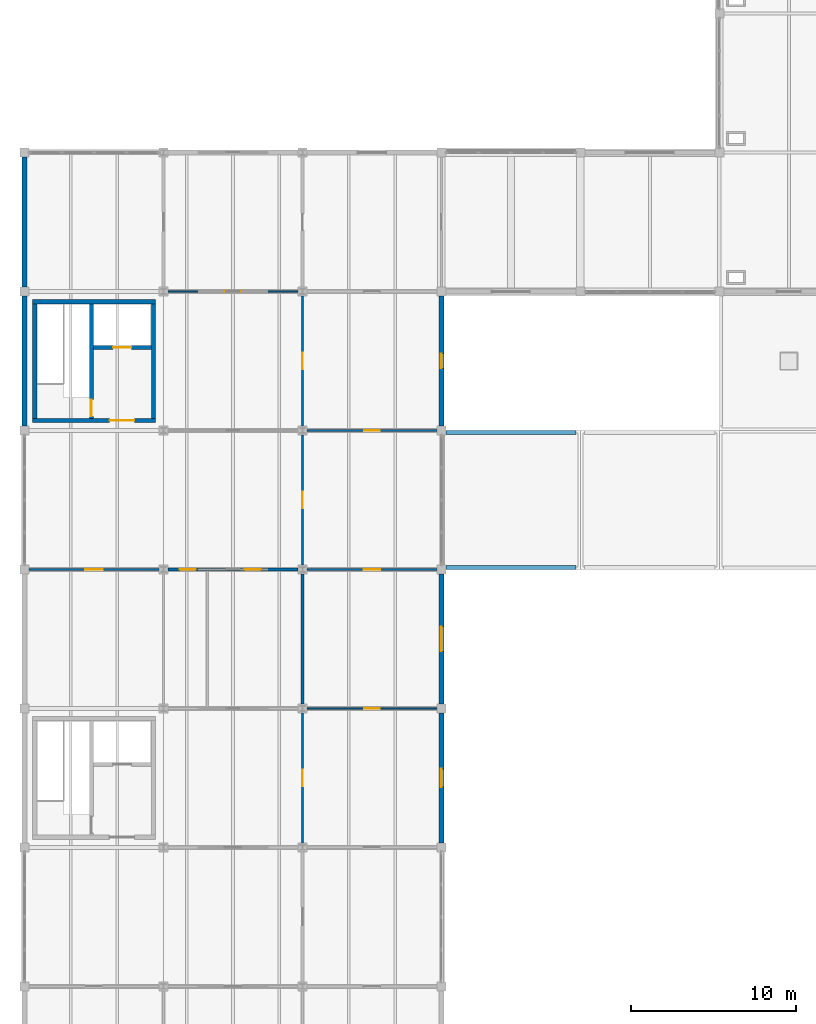
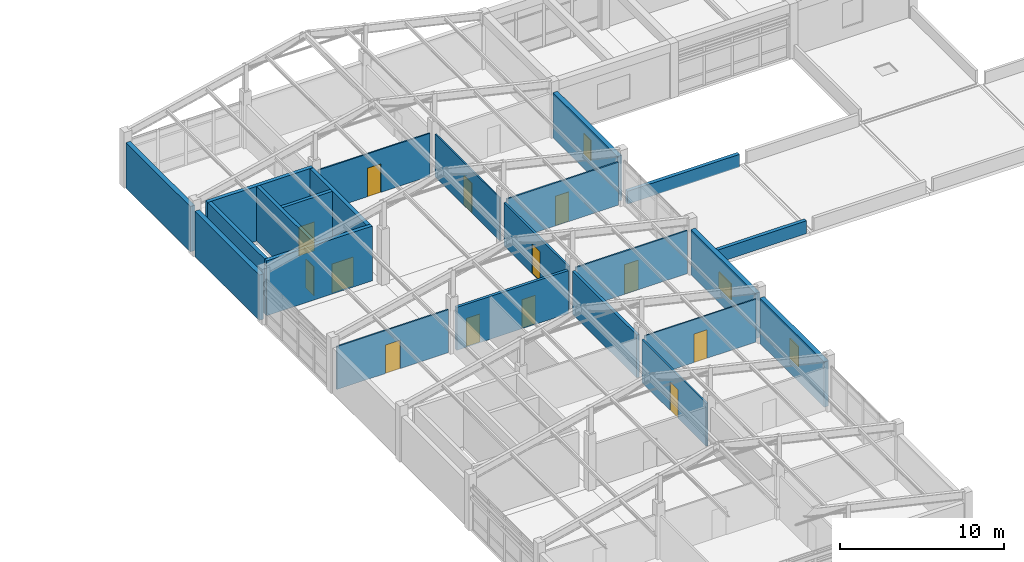
# One storey, part 31 of 40: 23 walls, 13 doors, 3 windows, 16 openings.
"""IFC4 building model written with IfcOpenShell, lengths in metres."""

from ifc_helpers import new_model, si_unit, direction, frame, frame_2d, origin, place, context, subcontext, project, spatial, rectangle, extrude, material, layer, layer_set, type_object, element, fill, save


model = new_model("IFC4")

# Units and contexts
model_context = context("Model", 3, precision=1e-05, world=origin(), true_north=direction((0.0, 1.0)))
body_context = subcontext(model_context, "Body", "Model", "MODEL_VIEW")
ifc_project = project(units=[si_unit("LENGTHUNIT", "METRE"), si_unit("AREAUNIT", "SQUARE_METRE"), si_unit("VOLUMEUNIT", "CUBIC_METRE"), si_unit("PLANEANGLEUNIT", "RADIAN"), si_unit("MASSUNIT", "GRAM", prefix="KILO")], contexts=[model_context])

# Site, building, storey
site_placement = place(None, origin())
site = spatial("IfcSite", under=ifc_project, at=site_placement, CompositionType="ELEMENT")
building_placement = place(site_placement, origin())
building = spatial("IfcBuilding", under=site, at=building_placement, Name="Porcellanite Civic Hall", CompositionType="ELEMENT")
storey_placement = place(building_placement, frame((0.0, 0.0, 19.080078125)))
storey = spatial("IfcBuildingStorey", under=building, at=storey_placement, Name="L04", CompositionType="ELEMENT", Elevation=19.080078125)

# Wall, opening, door
ifc_material_1 = material(Name="Concrete N40 (40 MPa)", Category="concrete")
ifc_layer_1 = layer(ifc_material_1, 0.239990234375)
ifc_layer_set_1 = layer_set([ifc_layer_1], Name="Concrete N40 (40 MPa)")
wall_type_1 = type_object("IfcWallType", Name="CW-SH240", PredefinedType="SHEAR", material=ifc_layer_set_1)
wall_1_placement = place(storey_placement, frame((12.43994140625, 59.5400390625, 0.0), z_axis=(0.0, 0.0, 1.0), x_axis=(0.0, 1.0, 0.0)))
wall_1 = element("IfcWall", 1, at=wall_1_placement, inside=storey, type_object=wall_type_1, Name="Core divider C2 L04", PredefinedType="SHEAR", context=body_context, shape_type="SweptSolid", body=[
    extrude(rectangle(XDim=6.919921875, YDim=0.239990234375, at=frame_2d((3.4599609375, 0.0))), origin(), (0.0, 0.0, 1.0), 4.06982421875),
])
opening_1_placement = place(wall_1_placement, frame((0.1201171875, 0.0, 0.0)))
opening_1 = element("IfcOpeningElement", 2, at=opening_1_placement, cuts=wall_1, Name="Opening FD-C2-L04-ST", PredefinedType="OPENING", context=body_context, shape_type="SweptSolid", body=[
    extrude(rectangle(XDim=1.0, YDim=2.14990234375, at=frame_2d((0.5, 1.074951171875))), frame((0.0, 0.1201171875, 0.0), z_axis=(0.0, -1.0, 0.0), x_axis=(1.0, 0.0, 0.0)), (0.0, 0.0, 1.0), 0.239990234375),
])
ifc_material_2 = material(Name="Fire-rated solid-core hardwood timber", Category="wood")
door_type_1 = type_object("IfcDoorType", Name="DR-FD100", OperationType="NOTDEFINED", PredefinedType="DOOR", material=ifc_material_2)
door_1_placement = place(opening_1_placement, origin())
door_1 = element("IfcDoor", 3, at=door_1_placement, inside=storey, type_object=door_type_1, Name="Fire stair door FD-C2-L04-ST", OperationType="SINGLE_SWING_LEFT", OverallHeight=2.14990234375, OverallWidth=1.0, PredefinedType="DOOR", context=body_context, shape_type="SweptSolid", body=[
    extrude(rectangle(XDim=1.0, YDim=2.14990234375, at=frame_2d((0.5, 1.074951171875))), frame((0.0, 0.02490234375, 0.0), z_axis=(0.0, -1.0, 0.0), x_axis=(1.0, 0.0, 0.0)), (0.0, 0.0, 1.0), 0.050048828125),
])
fill(opening_1, door_1)

wall_2_placement = place(storey_placement, frame((12.56005859375, 63.820068359375, 0.0), z_axis=(0.0, 0.0, 1.0), x_axis=(1.0, 0.0, 0.0)))
wall_2 = element("IfcWall", 4, at=wall_2_placement, inside=storey, type_object=wall_type_1, Name="Lift shaft wall C2 L04", PredefinedType="SHEAR", context=body_context, shape_type="SweptSolid", body=[
    extrude(rectangle(XDim=3.5, YDim=0.239990234375, at=frame_2d((1.75, 0.0))), origin(), (0.0, 0.0, 1.0), 4.06982421875),
])
opening_2_placement = place(wall_2_placement, frame((1.199951171875, 0.0, 0.0)))
opening_2 = element("IfcOpeningElement", 5, at=opening_2_placement, cuts=wall_2, Name="Opening LD-04", PredefinedType="OPENING", context=body_context, shape_type="SweptSolid", body=[
    extrude(rectangle(XDim=1.10009765625, YDim=2.14990234375, at=frame_2d((0.550048828125, 1.074951171875))), frame((0.0, 0.1201171875, 0.0), z_axis=(0.0, -1.0, 0.0), x_axis=(1.0, 0.0, 0.0)), (0.0, 0.0, 1.0), 0.239990234375),
])
ifc_material_3 = material(Name="Brushed stainless steel 316", Category="steel")
door_type_2 = type_object("IfcDoorType", Name="DR-LD110", OperationType="DOUBLE_DOOR_SLIDING", PredefinedType="DOOR", material=ifc_material_3)
door_2_placement = place(opening_2_placement, origin())
door_2 = element("IfcDoor", 6, at=door_2_placement, inside=storey, type_object=door_type_2, Name="Lift landing sliding door LD-04 L04", OperationType="DOUBLE_DOOR_SLIDING", OverallHeight=2.14990234375, OverallWidth=1.10009765625, PredefinedType="DOOR", context=body_context, shape_type="SweptSolid", body=[
    extrude(rectangle(XDim=1.10009765625, YDim=2.14990234375, at=frame_2d((0.550048828125, 1.074951171875))), frame((0.0, 0.02490234375, 0.0), z_axis=(0.0, -1.0, 0.0), x_axis=(1.0, 0.0, 0.0)), (0.0, 0.0, 1.0), 0.050048828125),
])
fill(opening_2, door_2)

ifc_material_4 = material(Name="Concrete N40 (40 MPa)", Category="concrete")
ifc_layer_2 = layer(ifc_material_4, 0.260009765625)
ifc_layer_set_2 = layer_set([ifc_layer_2], Name="Concrete N40 (40 MPa)")
wall_type_2 = type_object("IfcWallType", Name="CW-SH260", PredefinedType="SHEAR", material=ifc_layer_set_2)
wall_3_placement = place(storey_placement, frame((16.320068359375, 59.409912109375, 0.0), z_axis=(0.0, 0.0, 1.0), x_axis=(-1.0, 0.0, 0.0)))
wall_3 = element("IfcWall", 7, at=wall_3_placement, inside=storey, type_object=wall_type_2, Name="Core wall C2 L04 S", PredefinedType="SHEAR", context=body_context, shape_type="SweptSolid", body=[
    extrude(rectangle(XDim=7.440185546875, YDim=0.260009765625, at=frame_2d((3.72021484375, 0.0))), origin(), (0.0, 0.0, 1.0), 4.06982421875),
])
opening_3_placement = place(wall_3_placement, frame((1.280029296875, 0.0, 0.0)))
opening_3 = element("IfcOpeningElement", 8, at=opening_3_placement, cuts=wall_3, Name="Opening FD-C2-L04-LB", PredefinedType="OPENING", context=body_context, shape_type="SweptSolid", body=[
    extrude(rectangle(XDim=1.5, YDim=2.14990234375, at=frame_2d((0.75, 1.074951171875))), frame((0.0, 0.1298828125, 0.0), z_axis=(0.0, -1.0, 0.0), x_axis=(1.0, 0.0, 0.0)), (0.0, 0.0, 1.0), 0.260009765625),
])
ifc_material_5 = material(Name="Fire-rated steel and Georgian wired glass", Category="steel")
door_type_3 = type_object("IfcDoorType", Name="DR-FD150", OperationType="DOUBLE_DOOR_SINGLE_SWING", PredefinedType="DOOR", material=ifc_material_5)
door_3_placement = place(opening_3_placement, origin())
door_3 = element("IfcDoor", 9, at=door_3_placement, inside=storey, type_object=door_type_3, Name="Fire lobby double door FD-C2-L04-LB", OperationType="DOUBLE_DOOR_SINGLE_SWING", OverallHeight=2.14990234375, OverallWidth=1.5, PredefinedType="DOOR", context=body_context, shape_type="SweptSolid", body=[
    extrude(rectangle(XDim=1.5, YDim=2.14990234375, at=frame_2d((0.75, 1.074951171875))), frame((0.0, 0.02490234375, 0.0), z_axis=(0.0, -1.0, 0.0), x_axis=(1.0, 0.0, 0.0)), (0.0, 0.0, 1.0), 0.050048828125),
])
fill(opening_3, door_3)

# Walls
wall_4_placement = place(storey_placement, frame((9.010009765625, 59.5400390625, 0.0), z_axis=(0.0, 0.0, 1.0), x_axis=(0.0, 1.0, 0.0)))
element("IfcWall", 10, at=wall_4_placement, inside=storey, type_object=wall_type_2, Name="Core wall C2 L04 W", PredefinedType="SHEAR", context=body_context, shape_type="SweptSolid", body=[
    extrude(rectangle(XDim=6.919921875, YDim=0.260009765625, at=frame_2d((3.4599609375, 0.0))), origin(), (0.0, 0.0, 1.0), 4.06982421875),
])
wall_5_placement = place(storey_placement, frame((8.8798828125, 66.590087890625, 0.0), z_axis=(0.0, 0.0, 1.0), x_axis=(1.0, 0.0, 0.0)))
element("IfcWall", 11, at=wall_5_placement, inside=storey, type_object=wall_type_2, Name="Core wall C2 L04 N", PredefinedType="SHEAR", context=body_context, shape_type="SweptSolid", body=[
    extrude(rectangle(XDim=7.440185546875, YDim=0.260009765625, at=frame_2d((3.72021484375, 0.0))), origin(), (0.0, 0.0, 1.0), 4.06982421875),
])
wall_6_placement = place(storey_placement, frame((16.18994140625, 66.4599609375, 0.0), z_axis=(0.0, 0.0, 1.0), x_axis=(0.0, -1.0, 0.0)))
element("IfcWall", 12, at=wall_6_placement, inside=storey, type_object=wall_type_2, Name="Core wall C2 L04 E", PredefinedType="SHEAR", context=body_context, shape_type="SweptSolid", body=[
    extrude(rectangle(XDim=6.919921875, YDim=0.260009765625, at=frame_2d((3.4599609375, 0.0))), origin(), (0.0, 0.0, 1.0), 4.06982421875),
])
ifc_material_6 = material(Name="Precast concrete N40 (40 MPa)", Category="concrete")
ifc_layer_3 = layer(ifc_material_6, 0.320068359375)
ifc_layer_set_3 = layer_set([ifc_layer_3], Name="Precast concrete N40 (40 MPa)")
wall_type_3 = type_object("IfcWallType", Name="EW-COM320", PredefinedType="SOLIDWALL", material=ifc_layer_set_3)
wall_7_placement = place(storey_placement, frame((8.39990234375, 59.075927734375, 0.0), z_axis=(0.0, 0.0, 1.0), x_axis=(0.0, 1.0, 0.0)))
element("IfcWall", 13, at=wall_7_placement, inside=storey, type_object=wall_type_3, Name="Exterior wall L04 W 2-8", PredefinedType="SOLIDWALL", context=body_context, shape_type="SweptSolid", body=[
    extrude(rectangle(XDim=7.84814453125, YDim=0.320068359375, at=frame_2d((3.924072265625, 0.0))), origin(), (0.0, 0.0, 1.0), 3.369873046875),
])
wall_8_placement = place(storey_placement, frame((8.39990234375, 67.47607421875, 0.0), z_axis=(0.0, 0.0, 1.0), x_axis=(0.0, 1.0, 0.0)))
element("IfcWall", 14, at=wall_8_placement, inside=storey, type_object=wall_type_3, Name="Exterior wall L04 W 2-9", PredefinedType="SOLIDWALL", context=body_context, shape_type="SweptSolid", body=[
    extrude(rectangle(XDim=7.847900390625, YDim=0.320068359375, at=frame_2d((3.923828125, 0.0))), origin(), (0.0, 0.0, 1.0), 3.369873046875),
])

# Wall, opening, window
wall_9_placement = place(storey_placement, frame((33.60009765625, 41.72412109375, 0.0), z_axis=(0.0, 0.0, 1.0), x_axis=(0.0, -1.0, 0.0)))
wall_9 = element("IfcWall", 15, at=wall_9_placement, inside=storey, type_object=wall_type_3, Name="Exterior wall L04 E 4-5", PredefinedType="SOLIDWALL", context=body_context, shape_type="SweptSolid", body=[
    extrude(rectangle(XDim=7.84814453125, YDim=0.320068359375, at=frame_2d((3.924072265625, 0.0))), origin(), (0.0, 0.0, 1.0), 3.369873046875),
])
opening_4_placement = place(wall_9_placement, frame((3.3740234375, 0.0, 0.89990234375)))
opening_4 = element("IfcOpeningElement", 16, at=opening_4_placement, cuts=wall_9, Name="Opening W24", PredefinedType="OPENING", context=body_context, shape_type="SweptSolid", body=[
    extrude(rectangle(XDim=1.10009765625, YDim=1.5, at=frame_2d((0.550048828125, 0.75))), frame((0.0, 0.16015625, 0.0), z_axis=(0.0, -1.0, 0.0), x_axis=(1.0, 0.0, 0.0)), (0.0, 0.0, 1.0), 0.320068359375),
])
ifc_material_7 = material(Name="Cyclone laminated low-E glazing in anodised aluminium frame", Category="aluminium")
window_type_1 = type_object("IfcWindowType", Name="WN-24", PartitioningType="SINGLE_PANEL", PredefinedType="WINDOW", material=ifc_material_7)
window_1_placement = place(opening_4_placement, origin())
window_1 = element("IfcWindow", 17, at=window_1_placement, inside=storey, type_object=window_type_1, Name="Window W24 L04 E 4-5", OverallHeight=1.5, OverallWidth=1.10009765625, PartitioningType="SINGLE_PANEL", PredefinedType="WINDOW", context=body_context, shape_type="SweptSolid", body=[
    extrude(rectangle(XDim=1.10009765625, YDim=1.5, at=frame_2d((0.550048828125, 0.75))), frame((0.0, 0.030029296875, 0.0), z_axis=(0.0, -1.0, 0.0), x_axis=(1.0, 0.0, 0.0)), (0.0, 0.0, 1.0), 0.06005859375),
])
fill(opening_4, window_1)

wall_10_placement = place(storey_placement, frame((33.60009765625, 50.1240234375, 0.0), z_axis=(0.0, 0.0, 1.0), x_axis=(0.0, -1.0, 0.0)))
wall_10 = element("IfcWall", 18, at=wall_10_placement, inside=storey, type_object=wall_type_3, Name="Exterior wall L04 E 4-6", PredefinedType="SOLIDWALL", context=body_context, shape_type="SweptSolid", body=[
    extrude(rectangle(XDim=7.84814453125, YDim=0.320068359375, at=frame_2d((3.924072265625, 0.0))), origin(), (0.0, 0.0, 1.0), 3.369873046875),
])
opening_5_placement = place(wall_10_placement, frame((3.174072265625, 0.0, 0.89990234375)))
opening_5 = element("IfcOpeningElement", 19, at=opening_5_placement, cuts=wall_10, Name="Opening W25", PredefinedType="OPENING", context=body_context, shape_type="SweptSolid", body=[
    extrude(rectangle(XDim=1.5, YDim=1.199951171875, at=frame_2d((0.75, 0.60009765625))), frame((0.0, 0.16015625, 0.0), z_axis=(0.0, -1.0, 0.0), x_axis=(1.0, 0.0, 0.0)), (0.0, 0.0, 1.0), 0.320068359375),
])
ifc_material_8 = material(Name="Cyclone laminated low-E glazing in anodised aluminium frame", Category="aluminium")
window_type_2 = type_object("IfcWindowType", Name="WN-25", PartitioningType="SINGLE_PANEL", PredefinedType="WINDOW", material=ifc_material_8)
window_2_placement = place(opening_5_placement, origin())
window_2 = element("IfcWindow", 20, at=window_2_placement, inside=storey, type_object=window_type_2, Name="Window W25 L04 E 4-6", OverallHeight=1.199951171875, OverallWidth=1.5, PartitioningType="SINGLE_PANEL", PredefinedType="WINDOW", context=body_context, shape_type="SweptSolid", body=[
    extrude(rectangle(XDim=1.5, YDim=1.199951171875, at=frame_2d((0.75, 0.60009765625))), frame((0.0, 0.030029296875, 0.0), z_axis=(0.0, -1.0, 0.0), x_axis=(1.0, 0.0, 0.0)), (0.0, 0.0, 1.0), 0.06005859375),
])
fill(opening_5, window_2)

wall_11_placement = place(storey_placement, frame((33.60009765625, 66.924072265625, 0.0), z_axis=(0.0, 0.0, 1.0), x_axis=(0.0, -1.0, 0.0)))
wall_11 = element("IfcWall", 21, at=wall_11_placement, inside=storey, type_object=wall_type_3, Name="Exterior wall L04 E 4-8", PredefinedType="SOLIDWALL", context=body_context, shape_type="SweptSolid", body=[
    extrude(rectangle(XDim=7.84814453125, YDim=0.320068359375, at=frame_2d((3.924072265625, 0.0))), origin(), (0.0, 0.0, 1.0), 3.369873046875),
])
opening_6_placement = place(wall_11_placement, frame((3.47412109375, 0.0, 0.89990234375)))
opening_6 = element("IfcOpeningElement", 22, at=opening_6_placement, cuts=wall_11, Name="Opening W26", PredefinedType="OPENING", context=body_context, shape_type="SweptSolid", body=[
    extrude(rectangle(XDim=0.89990234375, YDim=1.5, at=frame_2d((0.449951171875, 0.75))), frame((0.0, 0.16015625, 0.0), z_axis=(0.0, -1.0, 0.0), x_axis=(1.0, 0.0, 0.0)), (0.0, 0.0, 1.0), 0.320068359375),
])
ifc_material_9 = material(Name="Cyclone laminated low-E glazing in anodised aluminium frame", Category="aluminium")
window_type_3 = type_object("IfcWindowType", Name="WN-26", PartitioningType="SINGLE_PANEL", PredefinedType="WINDOW", material=ifc_material_9)
window_3_placement = place(opening_6_placement, origin())
window_3 = element("IfcWindow", 23, at=window_3_placement, inside=storey, type_object=window_type_3, Name="Window W26 L04 E 4-8", OverallHeight=1.5, OverallWidth=0.89990234375, PartitioningType="SINGLE_PANEL", PredefinedType="WINDOW", context=body_context, shape_type="SweptSolid", body=[
    extrude(rectangle(XDim=0.89990234375, YDim=1.5, at=frame_2d((0.449951171875, 0.75))), frame((0.0, 0.030029296875, 0.0), z_axis=(0.0, -1.0, 0.0), x_axis=(1.0, 0.0, 0.0)), (0.0, 0.0, 1.0), 0.06005859375),
])
fill(opening_6, window_3)

# Wall, opening, door
ifc_material_10 = material(Name="Insulated acoustic plasterboard on light-gauge steel studs", Category="steel")
ifc_layer_4 = layer(ifc_material_10, 0.094970703125)
ifc_layer_set_4 = layer_set([ifc_layer_4], Name="Insulated acoustic plasterboard on light-gauge steel studs")
wall_type_4 = type_object("IfcWallType", Name="IW-PT095", PredefinedType="PARTITIONING", material=ifc_layer_set_4)
wall_12_placement = place(storey_placement, frame((17.076904296875, 67.199951171875, 0.0), z_axis=(0.0, 0.0, 1.0), x_axis=(1.0, 0.0, 0.0)))
wall_12 = element("IfcWall", 24, at=wall_12_placement, inside=storey, type_object=wall_type_4, Name="Partition L04 H 3-8", PredefinedType="PARTITIONING", context=body_context, shape_type="SweptSolid", body=[
    extrude(rectangle(XDim=7.84619140625, YDim=0.094970703125, at=frame_2d((3.923095703125, 0.0))), origin(), (0.0, 0.0, 1.0), 3.18994140625),
])
opening_7_placement = place(wall_12_placement, frame((3.4580078125, 0.0, 0.0)))
opening_7 = element("IfcOpeningElement", 25, at=opening_7_placement, cuts=wall_12, Name="Opening D-L04-467", PredefinedType="OPENING", context=body_context, shape_type="SweptSolid", body=[
    extrude(rectangle(XDim=0.929931640625, YDim=2.1201171875, at=frame_2d((0.46484375, 1.06005859375))), frame((0.0, 0.04736328125, 0.0), z_axis=(0.0, -1.0, 0.0), x_axis=(1.0, 0.0, 0.0)), (0.0, 0.0, 1.0), 0.094970703125),
])
ifc_material_11 = material(Name="Solid-core spotted-gum timber", Category="wood")
door_type_4 = type_object("IfcDoorType", Name="DR-RM093", OperationType="NOTDEFINED", PredefinedType="DOOR", material=ifc_material_11)
door_4_placement = place(opening_7_placement, origin())
door_4 = element("IfcDoor", 26, at=door_4_placement, inside=storey, type_object=door_type_4, Name="Interior door D-L04-467", OperationType="SINGLE_SWING_LEFT", OverallHeight=2.1201171875, OverallWidth=0.929931640625, PredefinedType="DOOR", context=body_context, shape_type="SweptSolid", body=[
    extrude(rectangle(XDim=0.929931640625, YDim=2.1201171875, at=frame_2d((0.46484375, 1.06005859375))), frame((0.0, 0.02490234375, 0.0), z_axis=(0.0, -1.0, 0.0), x_axis=(1.0, 0.0, 0.0)), (0.0, 0.0, 1.0), 0.050048828125),
])
fill(opening_7, door_4)

wall_13_placement = place(storey_placement, frame((25.47705078125, 42.0, 0.0), z_axis=(0.0, 0.0, 1.0), x_axis=(1.0, 0.0, 0.0)))
wall_13 = element("IfcWall", 27, at=wall_13_placement, inside=storey, type_object=wall_type_4, Name="Partition L04 H 4-5", PredefinedType="PARTITIONING", context=body_context, shape_type="SweptSolid", body=[
    extrude(rectangle(XDim=7.845947265625, YDim=0.094970703125, at=frame_2d((3.9228515625, 0.0))), origin(), (0.0, 0.0, 1.0), 3.18994140625),
])
opening_8_placement = place(wall_13_placement, frame((3.4580078125, 0.0, 0.0)))
opening_8 = element("IfcOpeningElement", 28, at=opening_8_placement, cuts=wall_13, Name="Opening D-L04-480", PredefinedType="OPENING", context=body_context, shape_type="SweptSolid", body=[
    extrude(rectangle(XDim=0.929931640625, YDim=2.1201171875, at=frame_2d((0.46484375, 1.06005859375))), frame((0.0, 0.04736328125, 0.0), z_axis=(0.0, -1.0, 0.0), x_axis=(1.0, 0.0, 0.0)), (0.0, 0.0, 1.0), 0.094970703125),
])
door_5_placement = place(opening_8_placement, origin())
door_5 = element("IfcDoor", 29, at=door_5_placement, inside=storey, type_object=door_type_4, Name="Interior door D-L04-480", OperationType="SINGLE_SWING_RIGHT", OverallHeight=2.1201171875, OverallWidth=0.929931640625, PredefinedType="DOOR", context=body_context, shape_type="SweptSolid", body=[
    extrude(rectangle(XDim=0.929931640625, YDim=2.1201171875, at=frame_2d((0.46484375, 1.06005859375))), frame((0.0, 0.02490234375, 0.0), z_axis=(0.0, -1.0, 0.0), x_axis=(1.0, 0.0, 0.0)), (0.0, 0.0, 1.0), 0.050048828125),
])
fill(opening_8, door_5)

wall_14_placement = place(storey_placement, frame((25.199951171875, 59.076904296875, 0.0), z_axis=(0.0, 0.0, 1.0), x_axis=(0.0, 1.0, 0.0)))
wall_14 = element("IfcWall", 30, at=wall_14_placement, inside=storey, type_object=wall_type_4, Name="Partition L04 V 3-8", PredefinedType="PARTITIONING", context=body_context, shape_type="SweptSolid", body=[
    extrude(rectangle(XDim=7.84619140625, YDim=0.094970703125, at=frame_2d((3.923095703125, 0.0))), origin(), (0.0, 0.0, 1.0), 3.18994140625),
])
opening_9_placement = place(wall_14_placement, frame((3.43310546875, 0.0, 0.0)))
opening_9 = element("IfcOpeningElement", 31, at=opening_9_placement, cuts=wall_14, Name="Opening D-L04-473", PredefinedType="OPENING", context=body_context, shape_type="SweptSolid", body=[
    extrude(rectangle(XDim=0.97998046875, YDim=2.179931640625, at=frame_2d((0.489990234375, 1.08984375))), frame((0.0, 0.04736328125, 0.0), z_axis=(0.0, -1.0, 0.0), x_axis=(1.0, 0.0, 0.0)), (0.0, 0.0, 1.0), 0.094970703125),
])
ifc_material_12 = material(Name="Solid-core spotted-gum timber", Category="wood")
door_type_5 = type_object("IfcDoorType", Name="DR-RM098", OperationType="NOTDEFINED", PredefinedType="DOOR", material=ifc_material_12)
door_6_placement = place(opening_9_placement, origin())
door_6 = element("IfcDoor", 32, at=door_6_placement, inside=storey, type_object=door_type_5, Name="Interior door D-L04-473", OperationType="SINGLE_SWING_LEFT", OverallHeight=2.179931640625, OverallWidth=0.97998046875, PredefinedType="DOOR", context=body_context, shape_type="SweptSolid", body=[
    extrude(rectangle(XDim=0.97998046875, YDim=2.179931640625, at=frame_2d((0.489990234375, 1.08984375))), frame((0.0, 0.02490234375, 0.0), z_axis=(0.0, -1.0, 0.0), x_axis=(1.0, 0.0, 0.0)), (0.0, 0.0, 1.0), 0.050048828125),
])
fill(opening_9, door_6)

ifc_material_13 = material(Name="Insulated acoustic plasterboard on light-gauge steel studs", Category="steel")
ifc_layer_5 = layer(ifc_material_13, 0.10498046875)
ifc_layer_set_5 = layer_set([ifc_layer_5], Name="Insulated acoustic plasterboard on light-gauge steel studs")
wall_type_5 = type_object("IfcWallType", Name="IW-PT105", PredefinedType="PARTITIONING", material=ifc_layer_set_5)
wall_15_placement = place(storey_placement, frame((8.677001953125, 50.39990234375, 0.0), z_axis=(0.0, 0.0, 1.0), x_axis=(1.0, 0.0, 0.0)))
wall_15 = element("IfcWall", 33, at=wall_15_placement, inside=storey, type_object=wall_type_5, Name="Partition L04 H 2-6", PredefinedType="PARTITIONING", context=body_context, shape_type="SweptSolid", body=[
    extrude(rectangle(XDim=7.845947265625, YDim=0.10498046875, at=frame_2d((3.9228515625, 0.0))), origin(), (0.0, 0.0, 1.0), 3.18994140625),
])
opening_10_placement = place(wall_15_placement, frame((3.39794921875, 0.0, 0.0)))
opening_10 = element("IfcOpeningElement", 34, at=opening_10_placement, cuts=wall_15, Name="Opening D-L04-464", PredefinedType="OPENING", context=body_context, shape_type="SweptSolid", body=[
    extrude(rectangle(XDim=1.050048828125, YDim=2.1201171875, at=frame_2d((0.52490234375, 1.06005859375))), frame((0.0, 0.052490234375, 0.0), z_axis=(0.0, -1.0, 0.0), x_axis=(1.0, 0.0, 0.0)), (0.0, 0.0, 1.0), 0.10498046875),
])
ifc_material_14 = material(Name="Solid-core spotted-gum timber", Category="wood")
door_type_6 = type_object("IfcDoorType", Name="DR-RM105", OperationType="NOTDEFINED", PredefinedType="DOOR", material=ifc_material_14)
door_7_placement = place(opening_10_placement, origin())
door_7 = element("IfcDoor", 35, at=door_7_placement, inside=storey, type_object=door_type_6, Name="Interior door D-L04-464", OperationType="SINGLE_SWING_RIGHT", OverallHeight=2.1201171875, OverallWidth=1.050048828125, PredefinedType="DOOR", context=body_context, shape_type="SweptSolid", body=[
    extrude(rectangle(XDim=1.050048828125, YDim=2.1201171875, at=frame_2d((0.52490234375, 1.06005859375))), frame((0.0, 0.02490234375, 0.0), z_axis=(0.0, -1.0, 0.0), x_axis=(1.0, 0.0, 0.0)), (0.0, 0.0, 1.0), 0.050048828125),
])
fill(opening_10, door_7)

ifc_material_15 = material(Name="Insulated acoustic plasterboard on light-gauge steel studs", Category="steel")
ifc_layer_6 = layer(ifc_material_15, 0.114990234375)
ifc_layer_set_6 = layer_set([ifc_layer_6], Name="Insulated acoustic plasterboard on light-gauge steel studs")
wall_type_6 = type_object("IfcWallType", Name="IW-PT115", PredefinedType="PARTITIONING", material=ifc_layer_set_6)
wall_16_placement = place(storey_placement, frame((25.47705078125, 58.800048828125, 0.0), z_axis=(0.0, 0.0, 1.0), x_axis=(1.0, 0.0, 0.0)))
wall_16 = element("IfcWall", 36, at=wall_16_placement, inside=storey, type_object=wall_type_6, Name="Partition L04 H 4-7", PredefinedType="PARTITIONING", context=body_context, shape_type="SweptSolid", body=[
    extrude(rectangle(XDim=7.845947265625, YDim=0.114990234375, at=frame_2d((3.9228515625, 0.0))), origin(), (0.0, 0.0, 1.0), 3.18994140625),
])
opening_11_placement = place(wall_16_placement, frame((3.443115234375, 0.0, 0.0)))
opening_11 = element("IfcOpeningElement", 37, at=opening_11_placement, cuts=wall_16, Name="Opening D-L04-487", PredefinedType="OPENING", context=body_context, shape_type="SweptSolid", body=[
    extrude(rectangle(XDim=0.9599609375, YDim=2.179931640625, at=frame_2d((0.47998046875, 1.08984375))), frame((0.0, 0.0576171875, 0.0), z_axis=(0.0, -1.0, 0.0), x_axis=(1.0, 0.0, 0.0)), (0.0, 0.0, 1.0), 0.114990234375),
])
ifc_material_16 = material(Name="Solid-core spotted-gum timber", Category="wood")
door_type_7 = type_object("IfcDoorType", Name="DR-RM096", OperationType="NOTDEFINED", PredefinedType="DOOR", material=ifc_material_16)
door_8_placement = place(opening_11_placement, origin())
door_8 = element("IfcDoor", 38, at=door_8_placement, inside=storey, type_object=door_type_7, Name="Interior door D-L04-487", OperationType="SINGLE_SWING_LEFT", OverallHeight=2.179931640625, OverallWidth=0.9599609375, PredefinedType="DOOR", context=body_context, shape_type="SweptSolid", body=[
    extrude(rectangle(XDim=0.9599609375, YDim=2.179931640625, at=frame_2d((0.47998046875, 1.08984375))), frame((0.0, 0.02490234375, 0.0), z_axis=(0.0, -1.0, 0.0), x_axis=(1.0, 0.0, 0.0)), (0.0, 0.0, 1.0), 0.050048828125),
])
fill(opening_11, door_8)

ifc_material_17 = material(Name="Insulated acoustic plasterboard on light-gauge steel studs", Category="steel")
ifc_layer_7 = layer(ifc_material_17, 0.125)
ifc_layer_set_7 = layer_set([ifc_layer_7], Name="Insulated acoustic plasterboard on light-gauge steel studs")
wall_type_7 = type_object("IfcWallType", Name="IW-PT125", PredefinedType="PARTITIONING", material=ifc_layer_set_7)
wall_17_placement = place(storey_placement, frame((25.199951171875, 33.876953125, 0.0), z_axis=(0.0, 0.0, 1.0), x_axis=(0.0, 1.0, 0.0)))
wall_17 = element("IfcWall", 39, at=wall_17_placement, inside=storey, type_object=wall_type_7, Name="Partition L04 V 3-5", PredefinedType="PARTITIONING", context=body_context, shape_type="SweptSolid", body=[
    extrude(rectangle(XDim=7.845947265625, YDim=0.125, at=frame_2d((3.9228515625, 0.0))), origin(), (0.0, 0.0, 1.0), 3.18994140625),
])
opening_12_placement = place(wall_17_placement, frame((3.41796875, 0.0, 0.0)))
opening_12 = element("IfcOpeningElement", 40, at=opening_12_placement, cuts=wall_17, Name="Opening D-L04-491", PredefinedType="OPENING", context=body_context, shape_type="SweptSolid", body=[
    extrude(rectangle(XDim=1.010009765625, YDim=2.1201171875, at=frame_2d((0.5048828125, 1.06005859375))), frame((0.0, 0.0625, 0.0), z_axis=(0.0, -1.0, 0.0), x_axis=(1.0, 0.0, 0.0)), (0.0, 0.0, 1.0), 0.125),
])
ifc_material_18 = material(Name="Solid-core spotted-gum timber", Category="wood")
door_type_8 = type_object("IfcDoorType", Name="DR-RM101", OperationType="NOTDEFINED", PredefinedType="DOOR", material=ifc_material_18)
door_9_placement = place(opening_12_placement, origin())
door_9 = element("IfcDoor", 41, at=door_9_placement, inside=storey, type_object=door_type_8, Name="Interior door D-L04-491", OperationType="SINGLE_SWING_LEFT", OverallHeight=2.1201171875, OverallWidth=1.010009765625, PredefinedType="DOOR", context=body_context, shape_type="SweptSolid", body=[
    extrude(rectangle(XDim=1.010009765625, YDim=2.1201171875, at=frame_2d((0.5048828125, 1.06005859375))), frame((0.0, 0.02490234375, 0.0), z_axis=(0.0, -1.0, 0.0), x_axis=(1.0, 0.0, 0.0)), (0.0, 0.0, 1.0), 0.050048828125),
])
fill(opening_12, door_9)

ifc_material_19 = material(Name="Insulated acoustic plasterboard on light-gauge steel studs", Category="steel")
ifc_layer_8 = layer(ifc_material_19, 0.14501953125)
ifc_layer_set_8 = layer_set([ifc_layer_8], Name="Insulated acoustic plasterboard on light-gauge steel studs")
wall_type_8 = type_object("IfcWallType", Name="IW-PT145", PredefinedType="PARTITIONING", material=ifc_layer_set_8)
wall_18_placement = place(storey_placement, frame((25.199951171875, 50.677001953125, 0.0), z_axis=(0.0, 0.0, 1.0), x_axis=(0.0, 1.0, 0.0)))
wall_18 = element("IfcWall", 42, at=wall_18_placement, inside=storey, type_object=wall_type_8, Name="Partition L04 V 3-7", PredefinedType="PARTITIONING", context=body_context, shape_type="SweptSolid", body=[
    extrude(rectangle(XDim=7.845947265625, YDim=0.14501953125, at=frame_2d((3.9228515625, 0.0))), origin(), (0.0, 0.0, 1.0), 3.18994140625),
])
opening_13_placement = place(wall_18_placement, frame((3.423095703125, 0.0, 0.0)))
opening_13 = element("IfcOpeningElement", 43, at=opening_13_placement, cuts=wall_18, Name="Opening D-L04-472", PredefinedType="OPENING", context=body_context, shape_type="SweptSolid", body=[
    extrude(rectangle(XDim=1.0, YDim=2.199951171875, at=frame_2d((0.5, 1.10009765625))), frame((0.0, 0.072509765625, 0.0), z_axis=(0.0, -1.0, 0.0), x_axis=(1.0, 0.0, 0.0)), (0.0, 0.0, 1.0), 0.14501953125),
])
ifc_material_20 = material(Name="Solid-core spotted-gum timber", Category="wood")
door_type_9 = type_object("IfcDoorType", Name="DR-RM100", OperationType="NOTDEFINED", PredefinedType="DOOR", material=ifc_material_20)
door_10_placement = place(opening_13_placement, origin())
door_10 = element("IfcDoor", 44, at=door_10_placement, inside=storey, type_object=door_type_9, Name="Interior door D-L04-472", OperationType="SINGLE_SWING_RIGHT", OverallHeight=2.199951171875, OverallWidth=1.0, PredefinedType="DOOR", context=body_context, shape_type="SweptSolid", body=[
    extrude(rectangle(XDim=1.0, YDim=2.199951171875, at=frame_2d((0.5, 1.10009765625))), frame((0.0, 0.02490234375, 0.0), z_axis=(0.0, -1.0, 0.0), x_axis=(1.0, 0.0, 0.0)), (0.0, 0.0, 1.0), 0.050048828125),
])
fill(opening_13, door_10)

# Wall, openings, doors
ifc_material_21 = material(Name="Insulated acoustic plasterboard on light-gauge steel studs", Category="steel")
ifc_layer_9 = layer(ifc_material_21, 0.195068359375)
ifc_layer_set_9 = layer_set([ifc_layer_9], Name="Insulated acoustic plasterboard on light-gauge steel studs")
wall_type_9 = type_object("IfcWallType", Name="IW-PT195", PredefinedType="PARTITIONING", material=ifc_layer_set_9)
wall_19_placement = place(storey_placement, frame((17.076904296875, 50.39990234375, 0.0), z_axis=(0.0, 0.0, 1.0), x_axis=(1.0, 0.0, 0.0)))
wall_19 = element("IfcWall", 45, at=wall_19_placement, inside=storey, type_object=wall_type_9, Name="Partition L04 H 3-6", PredefinedType="PARTITIONING", context=body_context, shape_type="SweptSolid", body=[
    extrude(rectangle(XDim=7.84619140625, YDim=0.195068359375, at=frame_2d((3.923095703125, 0.0))), origin(), (0.0, 0.0, 1.0), 3.18994140625),
])
opening_14_placement = place(wall_19_placement, frame((0.718017578125, 0.0, 0.0)))
opening_14 = element("IfcOpeningElement", 46, at=opening_14_placement, cuts=wall_19, Name="Opening D-L04-459", PredefinedType="OPENING", context=body_context, shape_type="SweptSolid", body=[
    extrude(rectangle(XDim=0.93994140625, YDim=2.080078125, at=frame_2d((0.469970703125, 1.0400390625))), frame((0.0, 0.09765625, 0.0), z_axis=(0.0, -1.0, 0.0), x_axis=(1.0, 0.0, 0.0)), (0.0, 0.0, 1.0), 0.195068359375),
])
opening_15_placement = place(wall_19_placement, frame((4.6279296875, 0.0, 0.0)))
opening_15 = element("IfcOpeningElement", 47, at=opening_15_placement, cuts=wall_19, Name="Opening D-L04-460", PredefinedType="OPENING", context=body_context, shape_type="SweptSolid", body=[
    extrude(rectangle(XDim=0.9599609375, YDim=2.10009765625, at=frame_2d((0.47998046875, 1.050048828125))), frame((0.0, 0.09765625, 0.0), z_axis=(0.0, -1.0, 0.0), x_axis=(1.0, 0.0, 0.0)), (0.0, 0.0, 1.0), 0.195068359375),
])
ifc_material_22 = material(Name="Moisture-resistant laminate solid-core timber", Category="wood")
door_type_10 = type_object("IfcDoorType", Name="DR-WC094", OperationType="NOTDEFINED", PredefinedType="DOOR", material=ifc_material_22)
door_11_placement = place(opening_14_placement, origin())
door_11 = element("IfcDoor", 48, at=door_11_placement, inside=storey, type_object=door_type_10, Name="Interior door D-L04-459", OperationType="SINGLE_SWING_LEFT", OverallHeight=2.080078125, OverallWidth=0.93994140625, PredefinedType="DOOR", context=body_context, shape_type="SweptSolid", body=[
    extrude(rectangle(XDim=0.93994140625, YDim=2.080078125, at=frame_2d((0.469970703125, 1.0400390625))), frame((0.0, 0.02490234375, 0.0), z_axis=(0.0, -1.0, 0.0), x_axis=(1.0, 0.0, 0.0)), (0.0, 0.0, 1.0), 0.050048828125),
])
fill(opening_14, door_11)
ifc_material_23 = material(Name="Moisture-resistant laminate solid-core timber", Category="wood")
door_type_11 = type_object("IfcDoorType", Name="DR-WC096", OperationType="NOTDEFINED", PredefinedType="DOOR", material=ifc_material_23)
door_12_placement = place(opening_15_placement, origin())
door_12 = element("IfcDoor", 49, at=door_12_placement, inside=storey, type_object=door_type_11, Name="Interior door D-L04-460", OperationType="SINGLE_SWING_RIGHT", OverallHeight=2.10009765625, OverallWidth=0.9599609375, PredefinedType="DOOR", context=body_context, shape_type="SweptSolid", body=[
    extrude(rectangle(XDim=0.9599609375, YDim=2.10009765625, at=frame_2d((0.47998046875, 1.050048828125))), frame((0.0, 0.02490234375, 0.0), z_axis=(0.0, -1.0, 0.0), x_axis=(1.0, 0.0, 0.0)), (0.0, 0.0, 1.0), 0.050048828125),
])
fill(opening_15, door_12)

# Wall
wall_20_placement = place(storey_placement, frame((25.199951171875, 42.277099609375, 0.0), z_axis=(0.0, 0.0, 1.0), x_axis=(0.0, 1.0, 0.0)))
element("IfcWall", 50, at=wall_20_placement, inside=storey, type_object=wall_type_9, Name="Partition L04 V 3-6", PredefinedType="PARTITIONING", context=body_context, shape_type="SweptSolid", body=[
    extrude(rectangle(XDim=7.845947265625, YDim=0.195068359375, at=frame_2d((3.9228515625, 0.0))), origin(), (0.0, 0.0, 1.0), 3.18994140625),
])

# Wall, opening, door
ifc_material_24 = material(Name="Acoustic timber-veneered operable panel system", Category="wood")
ifc_layer_10 = layer(ifc_material_24, 0.110107421875)
ifc_layer_set_10 = layer_set([ifc_layer_10], Name="Acoustic timber-veneered operable panel system")
wall_type_10 = type_object("IfcWallType", Name="MW-OP110", PredefinedType="MOVABLE", material=ifc_layer_set_10)
wall_21_placement = place(storey_placement, frame((25.47705078125, 50.39990234375, 0.0), z_axis=(0.0, 0.0, 1.0), x_axis=(1.0, 0.0, 0.0)))
wall_21 = element("IfcWall", 51, at=wall_21_placement, inside=storey, type_object=wall_type_10, Name="Partition L04 H 4-6", PredefinedType="MOVABLE", context=body_context, shape_type="SweptSolid", body=[
    extrude(rectangle(XDim=7.845947265625, YDim=0.110107421875, at=frame_2d((3.9228515625, 0.0))), origin(), (0.0, 0.0, 1.0), 3.18994140625),
])
opening_16_placement = place(wall_21_placement, frame((3.43310546875, 0.0, 0.0)))
opening_16 = element("IfcOpeningElement", 52, at=opening_16_placement, cuts=wall_21, Name="Opening D-L04-486", PredefinedType="OPENING", context=body_context, shape_type="SweptSolid", body=[
    extrude(rectangle(XDim=0.97998046875, YDim=2.179931640625, at=frame_2d((0.489990234375, 1.08984375))), frame((0.0, 0.05517578125, 0.0), z_axis=(0.0, -1.0, 0.0), x_axis=(1.0, 0.0, 0.0)), (0.0, 0.0, 1.0), 0.110107421875),
])
door_13_placement = place(opening_16_placement, origin())
door_13 = element("IfcDoor", 53, at=door_13_placement, inside=storey, type_object=door_type_5, Name="Interior door D-L04-486", OperationType="SINGLE_SWING_RIGHT", OverallHeight=2.179931640625, OverallWidth=0.97998046875, PredefinedType="DOOR", context=body_context, shape_type="SweptSolid", body=[
    extrude(rectangle(XDim=0.97998046875, YDim=2.179931640625, at=frame_2d((0.489990234375, 1.08984375))), frame((0.0, 0.02490234375, 0.0), z_axis=(0.0, -1.0, 0.0), x_axis=(1.0, 0.0, 0.0)), (0.0, 0.0, 1.0), 0.050048828125),
])
fill(opening_16, door_13)

# Walls
ifc_material_25 = material(Name="Precast concrete N40 (40 MPa)", Category="concrete")
ifc_layer_11 = layer(ifc_material_25, 0.25)
ifc_layer_set_11 = layer_set([ifc_layer_11], Name="Precast concrete N40 (40 MPa)")
wall_type_11 = type_object("IfcWallType", Name="WP-PAR1", PredefinedType="PARAPET", material=ifc_layer_set_11)
for number, where, z_axis, x_axis, name in (
    (54, (41.739990234375, 50.52490234375, 0.0), (0.0, 0.0, 1.0), (-1.0, 0.0, 0.0), "Roof parapet L04 S 5-7"),
    (55, (33.860107421875, 58.675048828125, 0.0), (0.0, 0.0, 1.0), (1.0, 0.0, 0.0), "Roof parapet L04 N 5-7"),
):
    element("IfcWall", number, at=place(storey_placement, frame(where, z_axis=z_axis, x_axis=x_axis)), inside=storey, type_object=wall_type_11, Name=name, PredefinedType="PARAPET", context=body_context, shape_type="SweptSolid", body=[
        extrude(rectangle(XDim=7.8798828125, YDim=0.25, at=frame_2d((3.93994140625, 0.0))), origin(), (0.0, 0.0, 1.0), 0.949951171875),
    ])

save(model, "model.ifc")
